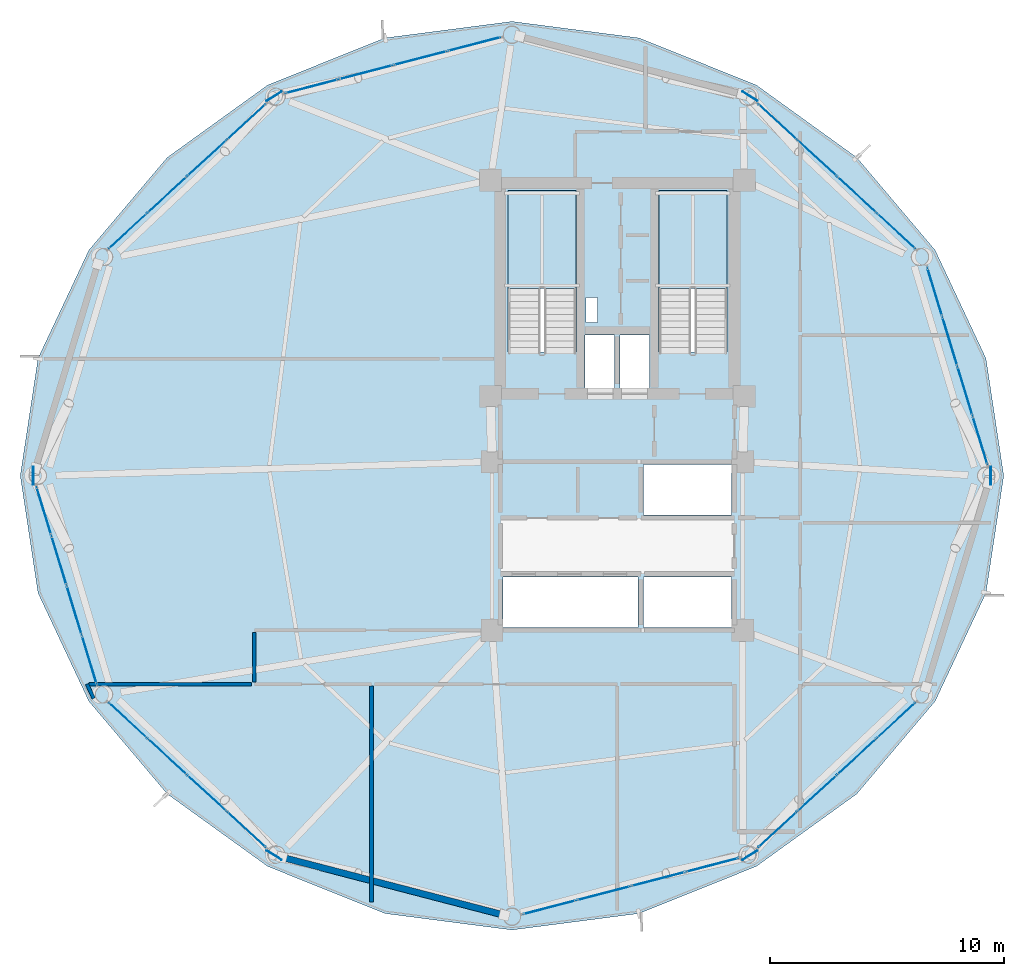
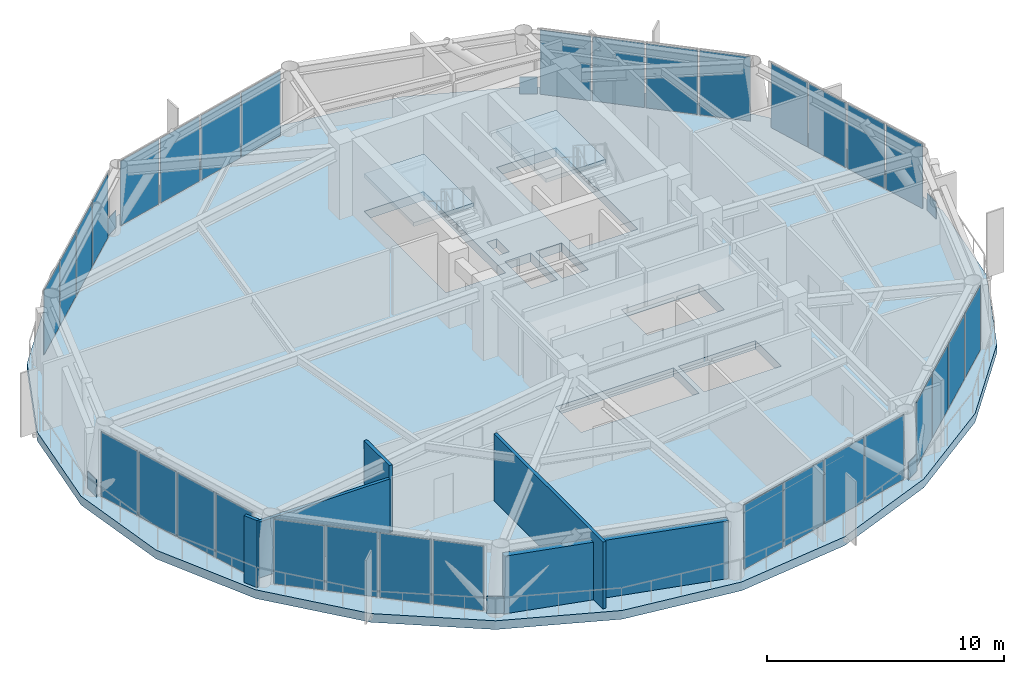
# One storey, part 20 of 26: 38 plates, 5 walls, 3 slabs, 10 elements without a shape of their own.
"""IFC4 building model written with IfcOpenShell, lengths in metres."""

from ifc_helpers import new_model, si_unit, direction, frame, frame_2d, origin, origin_2d, place, context, subcontext, project, spatial, polyline, rectangle, outline, extrude, source, transform, mapped, material, layer, layer_set, type_object, type_shapes, element, aggregate, save


model = new_model("IFC4")

# Units and contexts
model_context = context("Model", 3, precision=1e-05, world=origin(), true_north=direction((0.0, 1.0)))
body_context = subcontext(model_context, "Body", "Model", "MODEL_VIEW")
ifc_project = project(units=[si_unit("LENGTHUNIT", "METRE"), si_unit("AREAUNIT", "SQUARE_METRE"), si_unit("VOLUMEUNIT", "CUBIC_METRE"), si_unit("PLANEANGLEUNIT", "RADIAN"), si_unit("MASSUNIT", "GRAM", prefix="KILO")], contexts=[model_context])

# Site, building, storey
site_placement = place(None, origin())
site = spatial("IfcSite", under=ifc_project, at=site_placement, CompositionType="ELEMENT")
building_placement = place(site_placement, origin())
building = spatial("IfcBuilding", under=site, at=building_placement, Name="Varnakorn Sky Granary", CompositionType="ELEMENT")
storey_placement = place(building_placement, frame((0.0, 0.0, 169.5)))
storey = spatial("IfcBuildingStorey", under=building, at=storey_placement, Name="L42", CompositionType="ELEMENT", Elevation=169.5)

# Plates
ifc_material_1 = material(Name="Steel S460M", Category="steel")
ifc_layer_1 = layer(ifc_material_1, 0.035888671875, Name="Steel S460M")
ifc_layer_set_1 = layer_set([ifc_layer_1], Name="Steel S460M")
plate_type_1 = type_object("IfcPlateType", Name="PL-NODE-KN4", PredefinedType="SHEET", material=ifc_layer_set_1)
for number, where, z_axis, x_axis, name in (
    (1, (18.949951171875, 0.0, 0.0), (0.0, 0.0, 1.0), (0.0, 1.0, 0.0), "Diagrid Node Gusset Assembly KN4 L42-1"),
    (2, (8.657470703125, 16.207763671875, 0.0), (0.0, 0.0, 1.0), (-0.84734709567, 0.531039451886, 0.0), "Diagrid Node Gusset Assembly KN4 L42-3"),
    (3, (-11.657470703125, 16.207763671875, 0.0), (0.0, 0.0, 1.0), (-0.84734709567, -0.531039451886, 0.0), "Diagrid Node Gusset Assembly KN4 L42-5"),
    (4, (-21.949951171875, 0.0, 0.0), (0.0, 0.0, 1.0), (0.0, -1.0, 0.0), "Diagrid Node Gusset Assembly KN4 L42-7"),
    (5, (-11.657470703125, -16.207763671875, 0.0), (0.0, 0.0, 1.0), (0.84734709567, -0.531039451886, 0.0), "Diagrid Node Gusset Assembly KN4 L42-9"),
    (6, (8.657470703125, -16.207763671875, 0.0), (0.0, 0.0, 1.0), (0.84734709567, 0.531039451886, 0.0), "Diagrid Node Gusset Assembly KN4 L42-11"),
):
    element("IfcPlate", number, at=place(storey_placement, frame(where, z_axis=z_axis, x_axis=x_axis)), inside=storey, type_object=plate_type_1, Name=name, PredefinedType="SHEET", context=body_context, shape_type="SweptSolid", body=[
        extrude(rectangle(XDim=0.760009765625, YDim=0.035888671875, at=origin_2d()), origin(), (0.0, 0.0, 1.0), 0.8798828125),
    ])

# Stair, slab
ifc_material_2 = material(Name="Concrete C40/50", Category="concrete")
stair_type = type_object("IfcStairType", Name="ST-MAIN-ASSEMBLY", PredefinedType="HALF_TURN_STAIR", material=ifc_material_2)
stair_1_placement = place(storey_placement, origin())
stair_1 = element("IfcStair", 7, at=stair_1_placement, inside=storey, type_object=stair_type, Name="L42 Protected Exit Stair ST-1", PredefinedType="HALF_TURN_STAIR")
ifc_layer_2 = layer(ifc_material_2, 0.199951171875, Name="Concrete C40/50")
ifc_layer_set_2 = layer_set([ifc_layer_2], Name="Concrete C40/50")
slab_type_1 = type_object("IfcSlabType", Name="ST-MAIN-LAND", PredefinedType="LANDING", material=ifc_layer_set_2)
slab_1_placement = place(storey_placement, frame((0.0, 0.0, 1.75)))
slab_1 = element("IfcSlab", 8, at=slab_1_placement, type_object=slab_type_1, Name="ST-1 landing 1", PredefinedType="LANDING", context=body_context, shape_type="SweptSolid", body=[
    extrude(outline(polyline([(1.239990234375, 8.0), (1.239990234375, 12.179931640625), (-1.669921875, 12.179931640625), (-1.669921875, 8.0), (1.239990234375, 8.0)])), origin(), (0.0, 0.0, 1.0), 0.199951171875),
])
aggregate(stair_1, [slab_1])

stair_2_placement = place(storey_placement, origin())
stair_2 = element("IfcStair", 9, at=stair_2_placement, inside=storey, type_object=stair_type, Name="L42 Protected Exit Stair ST-2", PredefinedType="HALF_TURN_STAIR")
slab_2_placement = place(storey_placement, frame((0.0, 0.0, 1.75)))
slab_2 = element("IfcSlab", 10, at=slab_2_placement, type_object=slab_type_1, Name="ST-2 landing 1", PredefinedType="LANDING", context=body_context, shape_type="SweptSolid", body=[
    extrude(outline(polyline([(7.679931640625, 8.0), (7.679931640625, 12.179931640625), (4.77001953125, 12.179931640625), (4.77001953125, 8.0), (7.679931640625, 8.0)])), origin(), (0.0, 0.0, 1.0), 0.199951171875),
])
aggregate(stair_2, [slab_2])

# Slab
ifc_material_3 = material(Name="Concrete C60/75", Category="concrete")
ifc_layer_3 = layer(ifc_material_3, 0.449951171875, Name="Concrete C60/75")
ifc_layer_set_3 = layer_set([ifc_layer_3], Name="Concrete C60/75")
slab_type_2 = type_object("IfcSlabType", Name="ST-SL-XFER-450", PredefinedType="FLOOR", material=ifc_layer_set_3)
slab_3_placement = place(storey_placement, frame((0.0, 0.0, -0.449951171875)))
element("IfcSlab", 11, at=slab_3_placement, inside=storey, type_object=slab_type_2, Name="Level L42 Structural Floor Slab", PredefinedType="FLOOR", context=body_context, shape_type="SweptSolid", body=[
    extrude(outline(polyline([(19.5, 0.0), (18.740966796875, 5.009521484375), (16.569580078125, 9.632568359375), (13.221923828125, 13.590576171875), (8.9326171875, 16.68408203125), (3.923583984375, 18.695556640625), (-1.5, 19.39990234375), (-6.923583984375, 18.695556640625), (-11.9326171875, 16.68408203125), (-16.221923828125, 13.590576171875), (-19.569580078125, 9.632568359375), (-21.740966796875, 5.009521484375), (-22.5, 0.0), (-21.740966796875, -5.009521484375), (-19.569580078125, -9.632568359375), (-16.221923828125, -13.590576171875), (-11.9326171875, -16.68408203125), (-6.923583984375, -18.695556640625), (-1.5, -19.39990234375), (3.923583984375, -18.695556640625), (8.9326171875, -16.68408203125), (13.221923828125, -13.590576171875), (16.569580078125, -9.632568359375), (18.740966796875, -5.009521484375), (19.5, 0.0)]), holes=[polyline([(1.239990234375, 5.27490234375), (1.239990234375, 12.179931640625), (-1.669921875, 12.179931640625), (-1.669921875, 5.27490234375), (1.239990234375, 5.27490234375)]), polyline([(7.679931640625, 5.27490234375), (7.679931640625, 12.179931640625), (4.77001953125, 12.179931640625), (4.77001953125, 5.27490234375), (7.679931640625, 5.27490234375)]), polyline([(1.659912109375, 6.550048828125), (2.14990234375, 6.550048828125), (2.14990234375, 7.6201171875), (1.659912109375, 7.6201171875), (1.659912109375, 6.550048828125)]), polyline([(1.6201171875, 3.739990234375), (2.8798828125, 3.739990234375), (2.8798828125, 6.010009765625), (1.6201171875, 6.010009765625), (1.6201171875, 3.739990234375)]), polyline([(3.1201171875, 3.739990234375), (4.3798828125, 3.739990234375), (4.3798828125, 6.010009765625), (3.1201171875, 6.010009765625), (3.1201171875, 3.739990234375)]), polyline([(4.1201171875, -1.679931640625), (7.8798828125, -1.679931640625), (7.8798828125, 0.47998046875), (4.1201171875, 0.47998046875), (4.1201171875, -1.679931640625)]), polyline([(-1.8798828125, -6.47998046875), (3.8798828125, -6.47998046875), (3.8798828125, -4.320068359375), (-1.8798828125, -4.320068359375), (-1.8798828125, -6.47998046875)]), polyline([(4.1201171875, -6.47998046875), (7.8798828125, -6.47998046875), (7.8798828125, -4.320068359375), (4.1201171875, -4.320068359375), (4.1201171875, -6.47998046875)])]), origin(), (0.0, 0.0, 1.0), 0.449951171875),
])

# Curtain wall, plates
ifc_material_4 = material(Name="Anodised Bronze Aluminium Alloy 6063-T6", Category="aluminium")
ifc_layer_4 = layer(ifc_material_4, 0.179931640625, Name="Anodised Bronze Aluminium Alloy 6063-T6")
ifc_layer_set_4 = layer_set([ifc_layer_4], Name="Anodised Bronze Aluminium Alloy 6063-T6")
curtain_wall_type = type_object("IfcCurtainWallType", Name="CW-FRM-2", PredefinedType="USERDEFINED", material=ifc_layer_set_4)
curtain_wall_1_placement = place(storey_placement, origin())
curtain_wall_1 = element("IfcCurtainWall", 12, at=curtain_wall_1_placement, inside=storey, type_object=curtain_wall_type, Name="Unitised Curtain Wall CW4 CW-L42-B01", ObjectType="CURTAIN WALL", PredefinedType="USERDEFINED")
ifc_material_5 = material(Name="Low-E Tinted Laminated Glass", Category="glass")
ifc_layer_5 = layer(ifc_material_5, 0.02587890625, Name="Low-E Tinted Laminated Glass")
ifc_layer_set_5 = layer_set([ifc_layer_5], Name="Low-E Tinted Laminated Glass")
plate_type_2 = type_object("IfcPlateType", Name="CW-FRM-2-PNL", PredefinedType="CURTAIN_PANEL")
shared_shape_1 = source(origin(), body_context, "Body", "SweptSolid", [
    extrude(rectangle(XDim=2.120361328125, YDim=0.02587890625, at=origin_2d()), origin(), (0.0, 0.0, 1.0), 3.320068359375),
])
plate_1_placement = place(storey_placement, frame((16.552001953125, 7.854736328125, 0.06494140625), z_axis=(0.0, 0.0, 1.0), x_axis=(0.291975079108, -0.956425926656, 0.0)))
plate_1 = element("IfcPlate", 13, at=plate_1_placement, type_object=plate_type_2, material=ifc_layer_set_5, Name="CW4 vision glazing unit 1.1", PredefinedType="CURTAIN_PANEL", context=body_context, shape_type="MappedRepresentation", body=[
    mapped(shared_shape_1, transform((0.0, 0.0, 0.0), x_axis=(1.0, 0.0, 0.0), y_axis=(0.0, 1.0, 0.0), z_axis=(0.0, 0.0, 1.0), scale=1.0)),
])
ifc_material_6 = material(Name="Opaque Insulated Aluminium Shadow-Box Unit", Category="aluminium")
ifc_layer_6 = layer(ifc_material_6, 0.02587890625, Name="Opaque Insulated Aluminium Shadow-Box Unit")
ifc_layer_set_6 = layer_set([ifc_layer_6], Name="Opaque Insulated Aluminium Shadow-Box Unit")
plate_2_placement = place(storey_placement, frame((18.4912109375, 1.502685546875, 0.06494140625), z_axis=(0.0, 0.0, 1.0), x_axis=(0.291975079108, -0.956425926656, 0.0)))
plate_2 = element("IfcPlate", 14, at=plate_2_placement, type_object=plate_type_2, material=ifc_layer_set_6, Name="CW4 opaque insulated shadow-box unit 4.1", PredefinedType="CURTAIN_PANEL", context=body_context, shape_type="MappedRepresentation", body=[
    mapped(shared_shape_1, transform((0.0, 0.0, 0.0), x_axis=(1.0, 0.0, 0.0), y_axis=(0.0, 1.0, 0.0), z_axis=(0.0, 0.0, 1.0), scale=1.0)),
])

curtain_wall_2_placement = place(storey_placement, origin())
curtain_wall_2 = element("IfcCurtainWall", 15, at=curtain_wall_2_placement, inside=storey, type_object=curtain_wall_type, Name="Unitised Curtain Wall CW4 CW-L42-B07", ObjectType="CURTAIN WALL", PredefinedType="USERDEFINED")
plate_3_placement = place(storey_placement, frame((-19.552001953125, -7.854736328125, 0.06494140625), z_axis=(0.0, 0.0, 1.0), x_axis=(-0.291975079108, 0.956425926656, 0.0)))
plate_3 = element("IfcPlate", 16, at=plate_3_placement, type_object=plate_type_2, material=ifc_layer_set_5, Name="CW4 vision glazing unit 1.1", PredefinedType="CURTAIN_PANEL", context=body_context, shape_type="MappedRepresentation", body=[
    mapped(shared_shape_1, transform((0.0, 0.0, 0.0), x_axis=(1.0, 0.0, 0.0), y_axis=(0.0, 1.0, 0.0), z_axis=(0.0, 0.0, 1.0), scale=1.0)),
])
plate_4_placement = place(storey_placement, frame((-21.4912109375, -1.502685546875, 0.06494140625), z_axis=(0.0, 0.0, 1.0), x_axis=(-0.291975079108, 0.956425926656, 0.0)))
plate_4 = element("IfcPlate", 17, at=plate_4_placement, type_object=plate_type_2, material=ifc_layer_set_6, Name="CW4 opaque insulated shadow-box unit 4.1", PredefinedType="CURTAIN_PANEL", context=body_context, shape_type="MappedRepresentation", body=[
    mapped(shared_shape_1, transform((0.0, 0.0, 0.0), x_axis=(1.0, 0.0, 0.0), y_axis=(0.0, 1.0, 0.0), z_axis=(0.0, 0.0, 1.0), scale=1.0)),
])

# Plate
shared_shape_2 = source(origin(), body_context, "Body", "SweptSolid", [
    extrude(rectangle(XDim=2.155517578125, YDim=0.02587890625, at=origin_2d()), origin(), (0.0, 0.0, 1.0), 3.320068359375),
])
plate_5_placement = place(storey_placement, frame((17.19677734375, 5.742919921875, 0.06494140625), z_axis=(0.0, 0.0, 1.0), x_axis=(0.291975079108, -0.956425926656, 0.0)))
plate_5 = element("IfcPlate", 18, at=plate_5_placement, type_object=plate_type_2, material=ifc_layer_set_5, Name="CW4 vision glazing unit 2.1", PredefinedType="CURTAIN_PANEL", context=body_context, shape_type="MappedRepresentation", body=[
    mapped(shared_shape_2, transform((0.0, 0.0, 0.0), x_axis=(1.0, 0.0, 0.0), y_axis=(0.0, 1.0, 0.0), z_axis=(0.0, 0.0, 1.0), scale=1.0)),
])

plate_6_placement = place(storey_placement, frame((17.846435546875, 3.614501953125, 0.06494140625), z_axis=(0.0, 0.0, 1.0), x_axis=(0.291975079108, -0.956425926656, 0.0)))
plate_6 = element("IfcPlate", 19, at=plate_6_placement, type_object=plate_type_2, material=ifc_layer_set_6, Name="CW4 opaque insulated shadow-box unit 3.1", PredefinedType="CURTAIN_PANEL", context=body_context, shape_type="MappedRepresentation", body=[
    mapped(shared_shape_2, transform((0.0, 0.0, 0.0), x_axis=(1.0, 0.0, 0.0), y_axis=(0.0, 1.0, 0.0), z_axis=(0.0, 0.0, 1.0), scale=1.0)),
])

aggregate(curtain_wall_1, [plate_1, plate_5, plate_6, plate_2])

plate_7_placement = place(storey_placement, frame((-20.19677734375, -5.742919921875, 0.06494140625), z_axis=(0.0, 0.0, 1.0), x_axis=(-0.291975079108, 0.956425926656, 0.0)))
plate_7 = element("IfcPlate", 20, at=plate_7_placement, type_object=plate_type_2, material=ifc_layer_set_5, Name="CW4 vision glazing unit 2.1", PredefinedType="CURTAIN_PANEL", context=body_context, shape_type="MappedRepresentation", body=[
    mapped(shared_shape_2, transform((0.0, 0.0, 0.0), x_axis=(1.0, 0.0, 0.0), y_axis=(0.0, 1.0, 0.0), z_axis=(0.0, 0.0, 1.0), scale=1.0)),
])

plate_8_placement = place(storey_placement, frame((-20.846435546875, -3.614501953125, 0.06494140625), z_axis=(0.0, 0.0, 1.0), x_axis=(-0.291975079108, 0.956425926656, 0.0)))
plate_8 = element("IfcPlate", 21, at=plate_8_placement, type_object=plate_type_2, material=ifc_layer_set_6, Name="CW4 opaque insulated shadow-box unit 3.1", PredefinedType="CURTAIN_PANEL", context=body_context, shape_type="MappedRepresentation", body=[
    mapped(shared_shape_2, transform((0.0, 0.0, 0.0), x_axis=(1.0, 0.0, 0.0), y_axis=(0.0, 1.0, 0.0), z_axis=(0.0, 0.0, 1.0), scale=1.0)),
])

aggregate(curtain_wall_2, [plate_3, plate_7, plate_8, plate_4])

# Curtain wall, plates
curtain_wall_3_placement = place(storey_placement, origin())
curtain_wall_3 = element("IfcCurtainWall", 22, at=curtain_wall_3_placement, inside=storey, type_object=curtain_wall_type, Name="Unitised Curtain Wall CW4 CW-L42-B02", ObjectType="CURTAIN WALL", PredefinedType="USERDEFINED")
shared_shape_3 = source(origin(), body_context, "Body", "SweptSolid", [
    extrude(rectangle(XDim=2.2021484375, YDim=0.02587890625, at=origin_2d()), origin(), (0.0, 0.0, 1.0), 3.320068359375),
])
plate_9_placement = place(storey_placement, frame((9.843017578125, 15.115478515625, 0.06494140625), z_axis=(0.0, 0.0, 1.0), x_axis=(0.735478598084, -0.677547955322, 0.0)))
plate_9 = element("IfcPlate", 23, at=plate_9_placement, type_object=plate_type_2, material=ifc_layer_set_6, Name="CW4 opaque insulated shadow-box unit 1.1", PredefinedType="CURTAIN_PANEL", context=body_context, shape_type="MappedRepresentation", body=[
    mapped(shared_shape_3, transform((0.0, 0.0, 0.0), x_axis=(1.0, 0.0, 0.0), y_axis=(0.0, 1.0, 0.0), z_axis=(0.0, 0.0, 1.0), scale=1.0)),
])
plate_10_placement = place(storey_placement, frame((14.90771484375, 10.44970703125, 0.06494140625), z_axis=(0.0, 0.0, 1.0), x_axis=(0.735478598084, -0.677547955322, 0.0)))
plate_10 = element("IfcPlate", 24, at=plate_10_placement, type_object=plate_type_2, material=ifc_layer_set_5, Name="CW4 vision glazing unit 4.1", PredefinedType="CURTAIN_PANEL", context=body_context, shape_type="MappedRepresentation", body=[
    mapped(shared_shape_3, transform((0.0, 0.0, 0.0), x_axis=(1.0, 0.0, 0.0), y_axis=(0.0, 1.0, 0.0), z_axis=(0.0, 0.0, 1.0), scale=1.0)),
])

curtain_wall_4_placement = place(storey_placement, origin())
curtain_wall_4 = element("IfcCurtainWall", 25, at=curtain_wall_4_placement, inside=storey, type_object=curtain_wall_type, Name="Unitised Curtain Wall CW4 CW-L42-B05", ObjectType="CURTAIN WALL", PredefinedType="USERDEFINED")
plate_11_placement = place(storey_placement, frame((-17.90771484375, 10.44970703125, 0.06494140625), z_axis=(0.0, 0.0, 1.0), x_axis=(0.735478598084, 0.677547955322, 0.0)))
plate_11 = element("IfcPlate", 26, at=plate_11_placement, type_object=plate_type_2, material=ifc_layer_set_5, Name="CW4 vision glazing unit 1.1", PredefinedType="CURTAIN_PANEL", context=body_context, shape_type="MappedRepresentation", body=[
    mapped(shared_shape_3, transform((0.0, 0.0, 0.0), x_axis=(1.0, 0.0, 0.0), y_axis=(0.0, 1.0, 0.0), z_axis=(0.0, 0.0, 1.0), scale=1.0)),
])
plate_12_placement = place(storey_placement, frame((-12.843017578125, 15.115478515625, 0.06494140625), z_axis=(0.0, 0.0, 1.0), x_axis=(0.735478598084, 0.677547955322, 0.0)))
plate_12 = element("IfcPlate", 27, at=plate_12_placement, type_object=plate_type_2, material=ifc_layer_set_6, Name="CW4 opaque insulated shadow-box unit 4.1", PredefinedType="CURTAIN_PANEL", context=body_context, shape_type="MappedRepresentation", body=[
    mapped(shared_shape_3, transform((0.0, 0.0, 0.0), x_axis=(1.0, 0.0, 0.0), y_axis=(0.0, 1.0, 0.0), z_axis=(0.0, 0.0, 1.0), scale=1.0)),
])

curtain_wall_5_placement = place(storey_placement, origin())
curtain_wall_5 = element("IfcCurtainWall", 28, at=curtain_wall_5_placement, inside=storey, type_object=curtain_wall_type, Name="Unitised Curtain Wall CW4 CW-L42-B08", ObjectType="CURTAIN WALL", PredefinedType="USERDEFINED")
plate_13_placement = place(storey_placement, frame((-12.843017578125, -15.115478515625, 0.06494140625), z_axis=(0.0, 0.0, 1.0), x_axis=(-0.735478598084, 0.677547955322, 0.0)))
plate_13 = element("IfcPlate", 29, at=plate_13_placement, type_object=plate_type_2, material=ifc_layer_set_6, Name="CW4 opaque insulated shadow-box unit 1.1", PredefinedType="CURTAIN_PANEL", context=body_context, shape_type="MappedRepresentation", body=[
    mapped(shared_shape_3, transform((0.0, 0.0, 0.0), x_axis=(1.0, 0.0, 0.0), y_axis=(0.0, 1.0, 0.0), z_axis=(0.0, 0.0, 1.0), scale=1.0)),
])
plate_14_placement = place(storey_placement, frame((-17.90771484375, -10.44970703125, 0.06494140625), z_axis=(0.0, 0.0, 1.0), x_axis=(-0.735478598084, 0.677547955322, 0.0)))
plate_14 = element("IfcPlate", 30, at=plate_14_placement, type_object=plate_type_2, material=ifc_layer_set_5, Name="CW4 vision glazing unit 4.1", PredefinedType="CURTAIN_PANEL", context=body_context, shape_type="MappedRepresentation", body=[
    mapped(shared_shape_3, transform((0.0, 0.0, 0.0), x_axis=(1.0, 0.0, 0.0), y_axis=(0.0, 1.0, 0.0), z_axis=(0.0, 0.0, 1.0), scale=1.0)),
])

curtain_wall_6_placement = place(storey_placement, origin())
curtain_wall_6 = element("IfcCurtainWall", 31, at=curtain_wall_6_placement, inside=storey, type_object=curtain_wall_type, Name="Unitised Curtain Wall CW4 CW-L42-B11", ObjectType="CURTAIN WALL", PredefinedType="USERDEFINED")
plate_15_placement = place(storey_placement, frame((14.90771484375, -10.44970703125, 0.06494140625), z_axis=(0.0, 0.0, 1.0), x_axis=(-0.735478598084, -0.677547955322, 0.0)))
plate_15 = element("IfcPlate", 32, at=plate_15_placement, type_object=plate_type_2, material=ifc_layer_set_5, Name="CW4 vision glazing unit 1.1", PredefinedType="CURTAIN_PANEL", context=body_context, shape_type="MappedRepresentation", body=[
    mapped(shared_shape_3, transform((0.0, 0.0, 0.0), x_axis=(1.0, 0.0, 0.0), y_axis=(0.0, 1.0, 0.0), z_axis=(0.0, 0.0, 1.0), scale=1.0)),
])
plate_16_placement = place(storey_placement, frame((9.843017578125, -15.115478515625, 0.06494140625), z_axis=(0.0, 0.0, 1.0), x_axis=(-0.735478598084, -0.677547955322, 0.0)))
plate_16 = element("IfcPlate", 33, at=plate_16_placement, type_object=plate_type_2, material=ifc_layer_set_6, Name="CW4 opaque insulated shadow-box unit 4.1", PredefinedType="CURTAIN_PANEL", context=body_context, shape_type="MappedRepresentation", body=[
    mapped(shared_shape_3, transform((0.0, 0.0, 0.0), x_axis=(1.0, 0.0, 0.0), y_axis=(0.0, 1.0, 0.0), z_axis=(0.0, 0.0, 1.0), scale=1.0)),
])

# Plate
shared_shape_4 = source(origin(), body_context, "Body", "SweptSolid", [
    extrude(rectangle(XDim=2.237060546875, YDim=0.02587890625, at=origin_2d()), origin(), (0.0, 0.0, 1.0), 3.320068359375),
])
plate_17_placement = place(storey_placement, frame((11.527099609375, 13.564208984375, 0.06494140625), z_axis=(0.0, 0.0, 1.0), x_axis=(0.735478598084, -0.677547955322, 0.0)))
plate_17 = element("IfcPlate", 34, at=plate_17_placement, type_object=plate_type_2, material=ifc_layer_set_6, Name="CW4 opaque insulated shadow-box unit 2.1", PredefinedType="CURTAIN_PANEL", context=body_context, shape_type="MappedRepresentation", body=[
    mapped(shared_shape_4, transform((0.0, 0.0, 0.0), x_axis=(1.0, 0.0, 0.0), y_axis=(0.0, 1.0, 0.0), z_axis=(0.0, 0.0, 1.0), scale=1.0)),
])

plate_18_placement = place(storey_placement, frame((13.223876953125, 12.0009765625, 0.06494140625), z_axis=(0.0, 0.0, 1.0), x_axis=(0.735478598084, -0.677547955322, 0.0)))
plate_18 = element("IfcPlate", 35, at=plate_18_placement, type_object=plate_type_2, material=ifc_layer_set_5, Name="CW4 vision glazing unit 3.1", PredefinedType="CURTAIN_PANEL", context=body_context, shape_type="MappedRepresentation", body=[
    mapped(shared_shape_4, transform((0.0, 0.0, 0.0), x_axis=(1.0, 0.0, 0.0), y_axis=(0.0, 1.0, 0.0), z_axis=(0.0, 0.0, 1.0), scale=1.0)),
])

aggregate(curtain_wall_3, [plate_9, plate_17, plate_18, plate_10])

plate_19_placement = place(storey_placement, frame((-16.223876953125, 12.0009765625, 0.06494140625), z_axis=(0.0, 0.0, 1.0), x_axis=(0.735478598084, 0.677547955322, 0.0)))
plate_19 = element("IfcPlate", 36, at=plate_19_placement, type_object=plate_type_2, material=ifc_layer_set_5, Name="CW4 vision glazing unit 2.1", PredefinedType="CURTAIN_PANEL", context=body_context, shape_type="MappedRepresentation", body=[
    mapped(shared_shape_4, transform((0.0, 0.0, 0.0), x_axis=(1.0, 0.0, 0.0), y_axis=(0.0, 1.0, 0.0), z_axis=(0.0, 0.0, 1.0), scale=1.0)),
])

plate_20_placement = place(storey_placement, frame((-14.527099609375, 13.564208984375, 0.06494140625), z_axis=(0.0, 0.0, 1.0), x_axis=(0.735478598084, 0.677547955322, 0.0)))
plate_20 = element("IfcPlate", 37, at=plate_20_placement, type_object=plate_type_2, material=ifc_layer_set_6, Name="CW4 opaque insulated shadow-box unit 3.1", PredefinedType="CURTAIN_PANEL", context=body_context, shape_type="MappedRepresentation", body=[
    mapped(shared_shape_4, transform((0.0, 0.0, 0.0), x_axis=(1.0, 0.0, 0.0), y_axis=(0.0, 1.0, 0.0), z_axis=(0.0, 0.0, 1.0), scale=1.0)),
])

aggregate(curtain_wall_4, [plate_11, plate_19, plate_20, plate_12])

plate_21_placement = place(storey_placement, frame((-14.527099609375, -13.564208984375, 0.06494140625), z_axis=(0.0, 0.0, 1.0), x_axis=(-0.735478598084, 0.677547955322, 0.0)))
plate_21 = element("IfcPlate", 38, at=plate_21_placement, type_object=plate_type_2, material=ifc_layer_set_6, Name="CW4 opaque insulated shadow-box unit 2.1", PredefinedType="CURTAIN_PANEL", context=body_context, shape_type="MappedRepresentation", body=[
    mapped(shared_shape_4, transform((0.0, 0.0, 0.0), x_axis=(1.0, 0.0, 0.0), y_axis=(0.0, 1.0, 0.0), z_axis=(0.0, 0.0, 1.0), scale=1.0)),
])

plate_22_placement = place(storey_placement, frame((-16.223876953125, -12.0009765625, 0.06494140625), z_axis=(0.0, 0.0, 1.0), x_axis=(-0.735478598084, 0.677547955322, 0.0)))
plate_22 = element("IfcPlate", 39, at=plate_22_placement, type_object=plate_type_2, material=ifc_layer_set_5, Name="CW4 vision glazing unit 3.1", PredefinedType="CURTAIN_PANEL", context=body_context, shape_type="MappedRepresentation", body=[
    mapped(shared_shape_4, transform((0.0, 0.0, 0.0), x_axis=(1.0, 0.0, 0.0), y_axis=(0.0, 1.0, 0.0), z_axis=(0.0, 0.0, 1.0), scale=1.0)),
])

aggregate(curtain_wall_5, [plate_13, plate_21, plate_22, plate_14])

plate_23_placement = place(storey_placement, frame((13.223876953125, -12.0009765625, 0.06494140625), z_axis=(0.0, 0.0, 1.0), x_axis=(-0.735478598084, -0.677547955322, 0.0)))
plate_23 = element("IfcPlate", 40, at=plate_23_placement, type_object=plate_type_2, material=ifc_layer_set_5, Name="CW4 vision glazing unit 2.1", PredefinedType="CURTAIN_PANEL", context=body_context, shape_type="MappedRepresentation", body=[
    mapped(shared_shape_4, transform((0.0, 0.0, 0.0), x_axis=(1.0, 0.0, 0.0), y_axis=(0.0, 1.0, 0.0), z_axis=(0.0, 0.0, 1.0), scale=1.0)),
])

plate_24_placement = place(storey_placement, frame((11.527099609375, -13.564208984375, 0.06494140625), z_axis=(0.0, 0.0, 1.0), x_axis=(-0.735478598084, -0.677547955322, 0.0)))
plate_24 = element("IfcPlate", 41, at=plate_24_placement, type_object=plate_type_2, material=ifc_layer_set_6, Name="CW4 opaque insulated shadow-box unit 3.1", PredefinedType="CURTAIN_PANEL", context=body_context, shape_type="MappedRepresentation", body=[
    mapped(shared_shape_4, transform((0.0, 0.0, 0.0), x_axis=(1.0, 0.0, 0.0), y_axis=(0.0, 1.0, 0.0), z_axis=(0.0, 0.0, 1.0), scale=1.0)),
])

aggregate(curtain_wall_6, [plate_15, plate_23, plate_24, plate_16])

# Curtain wall, plates
curtain_wall_7_placement = place(storey_placement, origin())
curtain_wall_7 = element("IfcCurtainWall", 42, at=curtain_wall_7_placement, inside=storey, type_object=curtain_wall_type, Name="Unitised Curtain Wall CW4 CW-L42-B04", ObjectType="CURTAIN WALL", PredefinedType="USERDEFINED")
shared_shape_5 = source(origin(), body_context, "Body", "SweptSolid", [
    extrude(rectangle(XDim=2.29833984375, YDim=0.02587890625, at=origin_2d()), origin(), (0.0, 0.0, 1.0), 3.320068359375),
])
plate_25_placement = place(storey_placement, frame((-10.05078125, 16.625732421875, 0.06494140625), z_axis=(0.0, 0.0, 1.0), x_axis=(0.967789920875, 0.251759148896, 0.0)))
plate_25 = element("IfcPlate", 43, at=plate_25_placement, type_object=plate_type_2, material=ifc_layer_set_6, Name="CW4 opaque insulated shadow-box unit 1.1", PredefinedType="CURTAIN_PANEL", context=body_context, shape_type="MappedRepresentation", body=[
    mapped(shared_shape_5, transform((0.0, 0.0, 0.0), x_axis=(1.0, 0.0, 0.0), y_axis=(0.0, 1.0, 0.0), z_axis=(0.0, 0.0, 1.0), scale=1.0)),
])
plate_26_placement = place(storey_placement, frame((-3.106689453125, 18.43212890625, 0.06494140625), z_axis=(0.0, 0.0, 1.0), x_axis=(0.967789920875, 0.251759148896, 0.0)))
plate_26 = element("IfcPlate", 44, at=plate_26_placement, type_object=plate_type_2, material=ifc_layer_set_5, Name="CW4 vision glazing unit 4.1", PredefinedType="CURTAIN_PANEL", context=body_context, shape_type="MappedRepresentation", body=[
    mapped(shared_shape_5, transform((0.0, 0.0, 0.0), x_axis=(1.0, 0.0, 0.0), y_axis=(0.0, 1.0, 0.0), z_axis=(0.0, 0.0, 1.0), scale=1.0)),
])

curtain_wall_8_placement = place(storey_placement, origin())
curtain_wall_8 = element("IfcCurtainWall", 45, at=curtain_wall_8_placement, inside=storey, type_object=curtain_wall_type, Name="Unitised Curtain Wall CW4 CW-L42-B10", ObjectType="CURTAIN WALL", PredefinedType="USERDEFINED")
plate_27_placement = place(storey_placement, frame((7.05078125, -16.625732421875, 0.06494140625), z_axis=(0.0, 0.0, 1.0), x_axis=(-0.967789920875, -0.251759148896, 0.0)))
plate_27 = element("IfcPlate", 46, at=plate_27_placement, type_object=plate_type_2, material=ifc_layer_set_6, Name="CW4 opaque insulated shadow-box unit 1.1", PredefinedType="CURTAIN_PANEL", context=body_context, shape_type="MappedRepresentation", body=[
    mapped(shared_shape_5, transform((0.0, 0.0, 0.0), x_axis=(1.0, 0.0, 0.0), y_axis=(0.0, 1.0, 0.0), z_axis=(0.0, 0.0, 1.0), scale=1.0)),
])
plate_28_placement = place(storey_placement, frame((0.106689453125, -18.43212890625, 0.06494140625), z_axis=(0.0, 0.0, 1.0), x_axis=(-0.967789920875, -0.251759148896, 0.0)))
plate_28 = element("IfcPlate", 47, at=plate_28_placement, type_object=plate_type_2, material=ifc_layer_set_5, Name="CW4 vision glazing unit 4.1", PredefinedType="CURTAIN_PANEL", context=body_context, shape_type="MappedRepresentation", body=[
    mapped(shared_shape_5, transform((0.0, 0.0, 0.0), x_axis=(1.0, 0.0, 0.0), y_axis=(0.0, 1.0, 0.0), z_axis=(0.0, 0.0, 1.0), scale=1.0)),
])

# Plate
shared_shape_6 = source(origin(), body_context, "Body", "SweptSolid", [
    extrude(rectangle(XDim=2.33349609375, YDim=0.02587890625, at=origin_2d()), origin(), (0.0, 0.0, 1.0), 3.320068359375),
])
type_shapes(plate_type_2, [shared_shape_1, shared_shape_2, shared_shape_3, shared_shape_4, shared_shape_5, shared_shape_6])
plate_29_placement = place(storey_placement, frame((-7.74169921875, 17.226318359375, 0.06494140625), z_axis=(0.0, 0.0, 1.0), x_axis=(0.967789920875, 0.251759148896, 0.0)))
plate_29 = element("IfcPlate", 48, at=plate_29_placement, type_object=plate_type_2, material=ifc_layer_set_6, Name="CW4 opaque insulated shadow-box unit 2.1", PredefinedType="CURTAIN_PANEL", context=body_context, shape_type="MappedRepresentation", body=[
    mapped(shared_shape_6, transform((0.0, 0.0, 0.0), x_axis=(1.0, 0.0, 0.0), y_axis=(0.0, 1.0, 0.0), z_axis=(0.0, 0.0, 1.0), scale=1.0)),
])

plate_30_placement = place(storey_placement, frame((-5.415771484375, 17.831298828125, 0.06494140625), z_axis=(0.0, 0.0, 1.0), x_axis=(0.967789920875, 0.251759148896, 0.0)))
plate_30 = element("IfcPlate", 49, at=plate_30_placement, type_object=plate_type_2, material=ifc_layer_set_5, Name="CW4 vision glazing unit 3.1", PredefinedType="CURTAIN_PANEL", context=body_context, shape_type="MappedRepresentation", body=[
    mapped(shared_shape_6, transform((0.0, 0.0, 0.0), x_axis=(1.0, 0.0, 0.0), y_axis=(0.0, 1.0, 0.0), z_axis=(0.0, 0.0, 1.0), scale=1.0)),
])

aggregate(curtain_wall_7, [plate_25, plate_29, plate_30, plate_26])

plate_31_placement = place(storey_placement, frame((4.74169921875, -17.226318359375, 0.06494140625), z_axis=(0.0, 0.0, 1.0), x_axis=(-0.967789920875, -0.251759148896, 0.0)))
plate_31 = element("IfcPlate", 50, at=plate_31_placement, type_object=plate_type_2, material=ifc_layer_set_6, Name="CW4 opaque insulated shadow-box unit 2.1", PredefinedType="CURTAIN_PANEL", context=body_context, shape_type="MappedRepresentation", body=[
    mapped(shared_shape_6, transform((0.0, 0.0, 0.0), x_axis=(1.0, 0.0, 0.0), y_axis=(0.0, 1.0, 0.0), z_axis=(0.0, 0.0, 1.0), scale=1.0)),
])

plate_32_placement = place(storey_placement, frame((2.415771484375, -17.831298828125, 0.06494140625), z_axis=(0.0, 0.0, 1.0), x_axis=(-0.967789920875, -0.251759148896, 0.0)))
plate_32 = element("IfcPlate", 51, at=plate_32_placement, type_object=plate_type_2, material=ifc_layer_set_5, Name="CW4 vision glazing unit 3.1", PredefinedType="CURTAIN_PANEL", context=body_context, shape_type="MappedRepresentation", body=[
    mapped(shared_shape_6, transform((0.0, 0.0, 0.0), x_axis=(1.0, 0.0, 0.0), y_axis=(0.0, 1.0, 0.0), z_axis=(0.0, 0.0, 1.0), scale=1.0)),
])

aggregate(curtain_wall_8, [plate_27, plate_31, plate_32, plate_28])

# Walls
ifc_material_7 = material(Name="Precast concrete C40/50", Category="concrete")
ifc_layer_7 = layer(ifc_material_7, 0.280029296875, Name="Precast concrete C40/50")
ifc_layer_set_7 = layer_set([ifc_layer_7], Name="Precast concrete C40/50")
wall_type_1 = type_object("IfcWallType", Name="WT-EW-CRN-280", PredefinedType="SOLIDWALL", material=ifc_layer_set_7)
wall_1_placement = place(storey_placement, frame((-1.8251953125, -18.765380859375, 0.0), z_axis=(0.0, 0.0, 1.0), x_axis=(-0.96779017815, 0.2517581599, 0.0)))
element("IfcWall", 52, at=wall_1_placement, inside=storey, type_object=wall_type_1, Name="Agritech Insulated Precast Facade Wall L42-P09", PredefinedType="SOLIDWALL", context=body_context, shape_type="SweptSolid", body=[
    extrude(rectangle(XDim=9.823486328125, YDim=0.280029296875, at=frame_2d((4.91162109375, 0.0))), origin(), (0.0, 0.0, 1.0), 2.969970703125),
])
ifc_material_8 = material(Name="Gypsum Plasterboard on Steel Stud", Category="steel")
ifc_layer_8 = layer(ifc_material_8, 0.14990234375, Name="Gypsum Plasterboard on Steel Stud")
ifc_layer_set_8 = layer_set([ifc_layer_8], Name="Gypsum Plasterboard on Steel Stud")
wall_type_2 = type_object("IfcWallType", Name="WT-PART-150", PredefinedType="PARTITIONING", material=ifc_layer_set_8)
wall_2_placement = place(storey_placement, frame((-7.5, -8.985107421875, 0.0), z_axis=(0.0, 0.0, 1.0), x_axis=(0.0, -1.0, 0.0)))
element("IfcWall", 53, at=wall_2_placement, inside=storey, type_object=wall_type_2, Name="Interior Partition Wall L42-036", PredefinedType="PARTITIONING", context=body_context, shape_type="SweptSolid", body=[
    extrude(rectangle(XDim=9.221923828125, YDim=0.14990234375, at=frame_2d((4.61083984375, 0.0))), origin(), (0.0, 0.0, 1.0), 3.449951171875),
])
wall_3_placement = place(storey_placement, frame((-19.362060546875, -9.511962890625, 0.0), z_axis=(0.0, 0.0, 1.0), x_axis=(-0.425571040018, 0.904925018937, 0.0)))
element("IfcWall", 54, at=wall_3_placement, inside=storey, type_object=wall_type_2, Name="Interior Partition Wall L42-037", PredefinedType="PARTITIONING", context=body_context, shape_type="SweptSolid", body=[
    extrude(rectangle(XDim=0.67626953125, YDim=0.14990234375, at=frame_2d((0.338134765625, 0.0))), origin(), (0.0, 0.0, 1.0), 3.449951171875),
])
wall_4_placement = place(storey_placement, frame((-19.56494140625, -8.89990234375, 0.0), z_axis=(0.0, 0.0, 1.0), x_axis=(1.0, 0.0, 0.0)))
element("IfcWall", 55, at=wall_4_placement, inside=storey, type_object=wall_type_2, Name="Interior Partition Wall L42-038", PredefinedType="PARTITIONING", context=body_context, shape_type="SweptSolid", body=[
    extrude(rectangle(XDim=6.929931640625, YDim=0.14990234375, at=frame_2d((3.46484375, 0.0))), origin(), (0.0, 0.0, 1.0), 2.882080078125),
])
wall_5_placement = place(storey_placement, frame((-12.5, -6.68505859375, 0.0), z_axis=(0.0, 0.0, 1.0), x_axis=(0.0, -1.0, 0.0)))
element("IfcWall", 56, at=wall_5_placement, inside=storey, type_object=wall_type_2, Name="Interior Partition Wall L42-044", PredefinedType="PARTITIONING", context=body_context, shape_type="SweptSolid", body=[
    extrude(rectangle(XDim=2.1298828125, YDim=0.14990234375, at=frame_2d((1.06494140625, 0.0))), origin(), (0.0, 0.0, 1.0), 3.449951171875),
])

save(model, "model.ifc")
